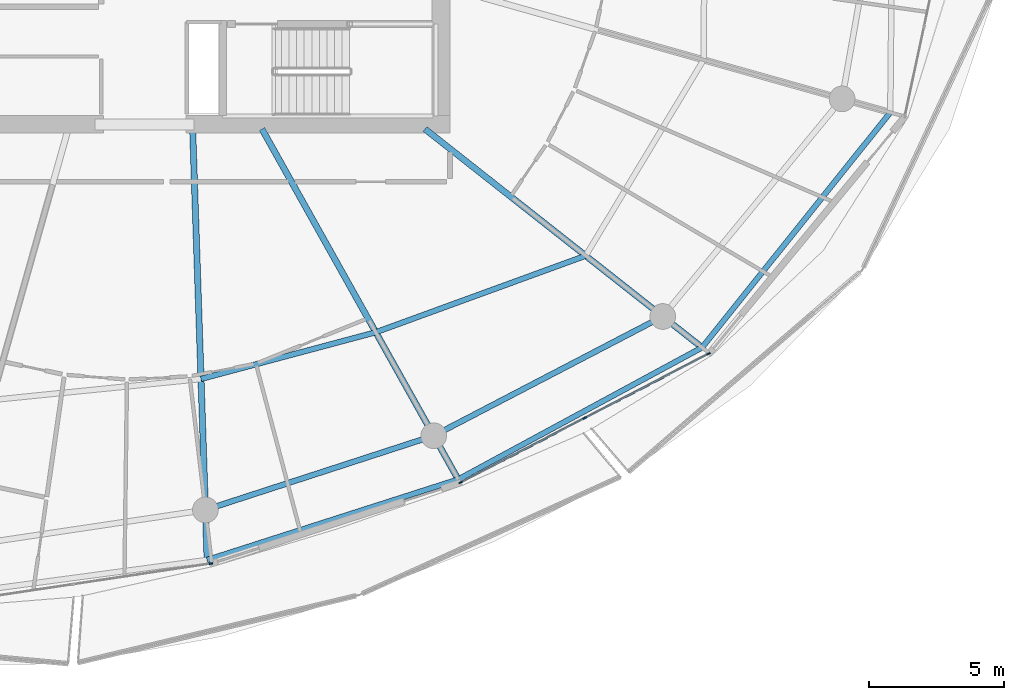
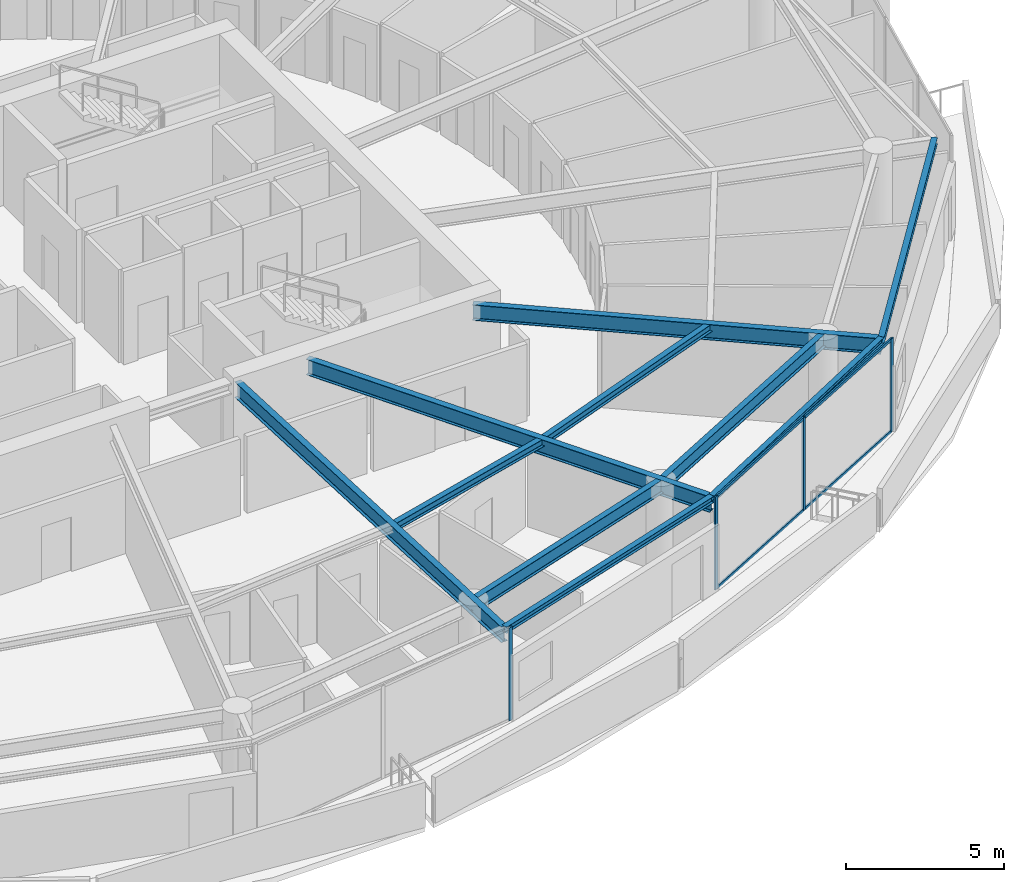
# One storey, part 9 of 30: 10 beams, 8 members, 2 elements without a shape of their own.
"""IFC4 building model written with IfcOpenShell, lengths in metres."""

import ifcopenshell
import ifcopenshell.guid

model = None  # the IFC model being written
_history = None  # IfcOwnerHistory: only IFC2X3 demands one
_inside = {}  # id of a spatial element -> (the spatial element, [elements in it])
_under = {}  # id of a project, library or spatial element -> (it, [spatial elements below it])
_declared = {}  # id of a project -> (the project, [libraries it declares])
_typed = {}  # id of a type object -> (the type object, [elements of that type])
_made_of = {}  # id of a material, layer set ... -> (it, [elements and type objects made of it])


def new_model(schema):
    """Start an empty IFC model of exactly this schema.

    Asked for "IFC4X3", IfcOpenShell would pick the latest addendum, in which some entities
    have other attributes; the version numbers below select the first issue.
    IFC2X3 requires an IfcOwnerHistory on every rooted entity: one is made here for all.
    """
    global model, _history
    if schema == "IFC4X3":
        model = ifcopenshell.file(schema_version=(4, 3, 0, 0))
    else:
        model = ifcopenshell.file(schema=schema)
    _inside.clear()
    _under.clear()
    _declared.clear()
    _typed.clear()
    _made_of.clear()
    _history = None
    if model.schema == "IFC2X3":
        org = make("IfcOrganization", Name="unknown")
        user = make(
            "IfcPersonAndOrganization",
            ThePerson=make("IfcPerson", FamilyName="unknown"),
            TheOrganization=org,
        )
        app = make(
            "IfcApplication",
            ApplicationDeveloper=org,
            Version="unknown",
            ApplicationFullName="unknown",
            ApplicationIdentifier="unknown",
        )
        _history = make(
            "IfcOwnerHistory",
            OwningUser=user,
            OwningApplication=app,
            ChangeAction="ADDED",
            CreationDate=0,
        )
    return model


def make(cls, **values):
    """One entity of the class cls with the attributes given. An attribute that is None is left unset."""
    return model.create_entity(
        cls, **{name: value for name, value in values.items() if value is not None}
    )


def rooted(cls, **values):
    """An entity with a GlobalId (a new one), such as an element, a storey or a relation."""
    return make(cls, GlobalId=ifcopenshell.guid.new(), OwnerHistory=_history, **values)


def si_unit(unit_type, name, prefix=None):
    """IfcSIUnit, for example si_unit("LENGTHUNIT", "METRE", prefix="MILLI")."""
    return make("IfcSIUnit", UnitType=unit_type, Prefix=prefix, Name=name)


def assignment(units):
    """IfcUnitAssignment: the units of a project."""
    return None if units is None else make("IfcUnitAssignment", Units=units)


def point(xyz):
    """IfcCartesianPoint."""
    return None if xyz is None else make("IfcCartesianPoint", Coordinates=xyz)


def direction(xyz):
    """IfcDirection."""
    return None if xyz is None else make("IfcDirection", DirectionRatios=xyz)


def frame(location, z_axis=None, x_axis=None):
    """IfcAxis2Placement3D, a coordinate frame: its origin and axes. An axis left out is left unset."""
    return make(
        "IfcAxis2Placement3D",
        Location=point(location),
        Axis=direction(z_axis),
        RefDirection=direction(x_axis),
    )


def frame_2d(location, x_axis=None):
    """IfcAxis2Placement2D, a coordinate frame in the plane: its origin and x axis."""
    return make(
        "IfcAxis2Placement2D", Location=point(location), RefDirection=direction(x_axis)
    )


def origin():
    """The frame at (0, 0, 0) with its axes left unset."""
    return frame((0.0, 0.0, 0.0))


def origin_2d():
    """The frame at (0, 0) in the plane with its x axis left unset."""
    return frame_2d((0.0, 0.0))


def place(relative_to, where):
    """IfcLocalPlacement: puts the frame where relative to a parent placement (None: the world)."""
    return make(
        "IfcLocalPlacement", PlacementRelTo=relative_to, RelativePlacement=where
    )


def context(
    kind, dimensions, precision=None, world=None, true_north=None, identifier=None
):
    """IfcGeometricRepresentationContext, for example the 3D "Model" context."""
    return make(
        "IfcGeometricRepresentationContext",
        ContextIdentifier=identifier,
        ContextType=kind,
        CoordinateSpaceDimension=dimensions,
        Precision=precision,
        WorldCoordinateSystem=world,
        TrueNorth=true_north,
    )


def subcontext(parent, identifier, kind, view, scale=None):
    """IfcGeometricRepresentationSubContext, for example "Body" below "Model"."""
    return make(
        "IfcGeometricRepresentationSubContext",
        ContextIdentifier=identifier,
        ContextType=kind,
        ParentContext=parent,
        TargetScale=scale,
        TargetView=view,
    )


def project(units=None, contexts=None):
    """IfcProject with its units and contexts."""
    return rooted(
        "IfcProject",
        Name="project",
        RepresentationContexts=contexts,
        UnitsInContext=assignment(units),
    )


def spatial(cls, under=None, at=None, **own):
    """A site, building, storey or space (cls), placed at a placement, below another one or the project."""
    s = rooted(cls, ObjectPlacement=at, **own)
    if under is not None:
        _under.setdefault(under.id(), (under, []))[1].append(s)
    return s


def profile(cls, at=None, kind="AREA", **sizes):
    """A parametric profile (cls). Its sizes go by their IFC names, for example OverallWidth=200.0."""
    return make(cls, ProfileType=kind, Position=at, **sizes)


def rectangle(**sizes):
    """IfcRectangleProfileDef."""
    return profile("IfcRectangleProfileDef", **sizes)


def i_section(**sizes):
    """IfcIShapeProfileDef."""
    return profile("IfcIShapeProfileDef", **sizes)


def extrude(swept, where, along, depth):
    """IfcExtrudedAreaSolid: the profile swept, set in the frame where, extruded along a direction by depth."""
    return make(
        "IfcExtrudedAreaSolid",
        SweptArea=swept,
        Position=where,
        ExtrudedDirection=direction(along),
        Depth=depth,
    )


def shape(context_of_items, identifier, shape_type, items):
    """IfcShapeRepresentation: the items that make up one representation, for example the "Body"."""
    return make(
        "IfcShapeRepresentation",
        ContextOfItems=context_of_items,
        RepresentationIdentifier=identifier,
        RepresentationType=shape_type,
        Items=items,
    )


def material(Name=None, Category=None):
    """IfcMaterial."""
    return make("IfcMaterial", Name=Name, Category=Category)


def layer(
    of_material, thickness, ventilated=None, Name=None, Category=None, Priority=None
):
    """IfcMaterialLayer: one layer of a wall or slab, of a material (None: an air gap)."""
    return make(
        "IfcMaterialLayer",
        Material=of_material,
        LayerThickness=thickness,
        IsVentilated=ventilated,
        Name=Name,
        Category=Category,
        Priority=Priority,
    )


def layer_set(layers, Name=None):
    """IfcMaterialLayerSet."""
    return make("IfcMaterialLayerSet", MaterialLayers=layers, LayerSetName=Name)


def material_profile(
    of_material, cross_section, Name=None, Category=None, Priority=None
):
    """IfcMaterialProfile: a cross section and its material."""
    return make(
        "IfcMaterialProfile",
        Name=Name,
        Material=of_material,
        Profile=cross_section,
        Priority=Priority,
        Category=Category,
    )


def profile_set(profiles, Name=None, composite=None):
    """IfcMaterialProfileSet."""
    return make(
        "IfcMaterialProfileSet",
        Name=Name,
        MaterialProfiles=profiles,
        CompositeProfile=composite,
    )


def made_of(thing, what):
    """Note that an element or type object is made of a material, layer set ...; save() writes the relation."""
    if what is not None:
        _made_of.setdefault(what.id(), (what, []))[1].append(thing)
    return thing


def type_object(cls, material=None, **own):
    """A type object (cls), such as IfcWallType, which elements share."""
    return made_of(rooted(cls, **own), material)


def element(
    cls,
    number,
    at=None,
    inside=None,
    cuts=None,
    type_object=None,
    material=None,
    context=None,
    identifier="Body",
    shape_type=None,
    held_by="IfcProductDefinitionShape",
    body=None,
    shapes=None,
    **own,
):
    """One element of the class cls, such as IfcWall. Its Tag is "e" and its number.

    at: its placement. inside: the storey or other place that contains it. cuts: it is an
    opening in that element (IfcRelVoidsElement). A single representation is given by context,
    identifier, shape_type and body (its items); several are given by shapes. held_by: the class
    of the entity that holds the representations. save() writes the other relations.
    """
    e = rooted(cls, Tag="e%d" % number, ObjectPlacement=at, **own)
    if body is not None:
        shapes = [shape(context, identifier, shape_type, body)]
    if shapes is not None:
        e.Representation = make(held_by, Representations=shapes)
    if inside is not None:
        _inside.setdefault(inside.id(), (inside, []))[1].append(e)
    if cuts is not None:
        rooted(
            "IfcRelVoidsElement", RelatingBuildingElement=cuts, RelatedOpeningElement=e
        )
    if type_object is not None:
        _typed.setdefault(type_object.id(), (type_object, []))[1].append(e)
    return made_of(e, material)


def aggregate(whole, parts):
    """IfcRelAggregates: a whole, such as a stair, and the parts it consists of."""
    return rooted("IfcRelAggregates", RelatingObject=whole, RelatedObjects=parts)


def save(model, path):
    """Write the relations noted so far, then the file.

    IfcRelAggregates (storeys below a building ...), IfcRelContainedInSpatialStructure (elements
    in a storey), IfcRelDefinesByType, IfcRelAssociatesMaterial and IfcRelDeclares: one each for
    every whole, place, type object, material and project.
    """
    for whole, parts in _under.values():
        aggregate(whole, parts)
    for where, things in _inside.values():
        rooted(
            "IfcRelContainedInSpatialStructure",
            RelatedElements=things,
            RelatingStructure=where,
        )
    for kind, things in _typed.values():
        rooted("IfcRelDefinesByType", RelatedObjects=things, RelatingType=kind)
    for what, things in _made_of.values():
        rooted("IfcRelAssociatesMaterial", RelatedObjects=things, RelatingMaterial=what)
    for by, libraries in _declared.values():
        rooted("IfcRelDeclares", RelatingContext=by, RelatedDefinitions=libraries)
    model.write(path)


model = new_model("IFC4")

# Units and contexts
model_context = context("Model", 3, precision=1e-05, world=origin(), true_north=direction((0.0, 1.0)))
body_context = subcontext(model_context, "Body", "Model", "MODEL_VIEW")
ifc_project = project(units=[si_unit("LENGTHUNIT", "METRE"), si_unit("AREAUNIT", "SQUARE_METRE"), si_unit("VOLUMEUNIT", "CUBIC_METRE"), si_unit("PLANEANGLEUNIT", "RADIAN"), si_unit("MASSUNIT", "GRAM", prefix="KILO")], contexts=[model_context])

# Site, building, storey
site_placement = place(None, origin())
site = spatial("IfcSite", under=ifc_project, at=site_placement, CompositionType="ELEMENT")
building_placement = place(site_placement, origin())
building = spatial("IfcBuilding", under=site, at=building_placement, Name="Kazma Halo Residences", CompositionType="ELEMENT")
storey_placement = place(building_placement, frame((0.0, 0.0, 263.64990234375)))
storey = spatial("IfcBuildingStorey", under=building, at=storey_placement, Name="L66", CompositionType="ELEMENT", Elevation=263.64990234375)

# Beams
ifc_material_1 = material(Name="Steel S355", Category="steel")
ifc_material_profile_1 = material_profile(ifc_material_1, i_section(OverallWidth=0.201904296875, OverallDepth=0.2470703125, WebThickness=0.00732421875, FlangeThickness=0.010986328125, FilletRadius=0.011962890625, at=origin_2d()), Name="W250x49.1")
ifc_profile_set_1 = profile_set([ifc_material_profile_1], Name="Steel S355")
beam_type_1 = type_object("IfcBeamType", Name="BM-BAL-CANT", PredefinedType="BEAM", material=ifc_profile_set_1)
beam_1_placement = place(storey_placement, frame((50.7333984375, 17.580078125, 3.466552734375), z_axis=(0.952215866624, 0.305425839362, 0.0), x_axis=(-0.305425839362, 0.952215866624, 0.0)))
element("IfcBeam", 1, at=beam_1_placement, inside=storey, type_object=beam_type_1, Name="L66 wave-balcony tie beam 12", PredefinedType="BEAM", context=body_context, shape_type="SweptSolid", body=[
    extrude(i_section(OverallWidth=0.201904296875, OverallDepth=0.2470703125, WebThickness=0.00732421875, FlangeThickness=0.010986328125, FilletRadius=0.011962890625, at=origin_2d()), origin(), (0.0, 0.0, 1.0), 9.74169921875),
])
beam_2_placement = place(storey_placement, frame((60.009521484375, 20.555419921875, 3.466552734375), z_axis=(0.879517282036, 0.475866946321, 0.0), x_axis=(-0.475866946321, 0.879517282036, 0.0)))
element("IfcBeam", 2, at=beam_2_placement, inside=storey, type_object=beam_type_1, Name="L66 wave-balcony tie beam 13", PredefinedType="BEAM", context=body_context, shape_type="SweptSolid", body=[
    extrude(i_section(OverallWidth=0.201904296875, OverallDepth=0.2470703125, WebThickness=0.00732421875, FlangeThickness=0.010986328125, FilletRadius=0.011962890625, at=origin_2d()), origin(), (0.0, 0.0, 1.0), 10.243408203125),
])
beam_3_placement = place(storey_placement, frame((69.018798828125, 25.429931640625, 3.466552734375), z_axis=(0.625117912406, 0.780530329705, 0.0), x_axis=(-0.780530329705, 0.625117912406, 0.0)))
element("IfcBeam", 3, at=beam_3_placement, inside=storey, type_object=beam_type_1, Name="L66 wave-balcony tie beam 14", PredefinedType="BEAM", context=body_context, shape_type="SweptSolid", body=[
    extrude(i_section(OverallWidth=0.201904296875, OverallDepth=0.2470703125, WebThickness=0.00732421875, FlangeThickness=0.010986328125, FilletRadius=0.011962890625, at=origin_2d()), origin(), (0.0, 0.0, 1.0), 11.1220703125),
])
ifc_material_profile_2 = material_profile(ifc_material_1, i_section(OverallWidth=0.22802734375, OverallDepth=0.60791015625, WebThickness=0.01123046875, FlangeThickness=0.017333984375, FilletRadius=0.01806640625, at=origin_2d()), Name="W610x113")
ifc_profile_set_2 = profile_set([ifc_material_profile_2], Name="Steel S355")
beam_type_2 = type_object("IfcBeamType", Name="BM-RAD-W610", PredefinedType="BEAM", material=ifc_profile_set_2)
beam_4_placement = place(storey_placement, frame((50.199951171875, 33.5, 3.2861328125), z_axis=(0.03348936291, -0.999439073967, 0.0), x_axis=(0.999439073967, 0.03348936291, 0.0)))
element("IfcBeam", 4, at=beam_4_placement, inside=storey, type_object=beam_type_2, Name="L66 radial floor beam 12", PredefinedType="BEAM", context=body_context, shape_type="SweptSolid", body=[
    extrude(i_section(OverallWidth=0.22802734375, OverallDepth=0.60791015625, WebThickness=0.01123046875, FlangeThickness=0.017333984375, FilletRadius=0.01806640625, at=origin_2d()), origin(), (0.0, 0.0, 1.0), 15.928955078125),
])
beam_5_placement = place(storey_placement, frame((52.76025390625, 33.5, 3.2861328125), z_axis=(0.488618902548, -0.872497316943, 0.0), x_axis=(0.872497316943, 0.488618902548, 0.0)))
element("IfcBeam", 5, at=beam_5_placement, inside=storey, type_object=beam_type_2, Name="L66 radial floor beam 13", PredefinedType="BEAM", context=body_context, shape_type="SweptSolid", body=[
    extrude(i_section(OverallWidth=0.22802734375, OverallDepth=0.60791015625, WebThickness=0.01123046875, FlangeThickness=0.017333984375, FilletRadius=0.01806640625, at=origin_2d()), origin(), (0.0, 0.0, 1.0), 14.836181640625),
])
beam_6_placement = place(storey_placement, frame((58.7822265625, 33.5, 3.2861328125), z_axis=(0.785309266897, -0.619103670903, 0.0), x_axis=(0.619103670903, 0.785309266897, 0.0)))
element("IfcBeam", 6, at=beam_6_placement, inside=storey, type_object=beam_type_2, Name="L66 radial floor beam 14", PredefinedType="BEAM", context=body_context, shape_type="SweptSolid", body=[
    extrude(i_section(OverallWidth=0.22802734375, OverallDepth=0.60791015625, WebThickness=0.01123046875, FlangeThickness=0.017333984375, FilletRadius=0.01806640625, at=origin_2d()), origin(), (0.0, 0.0, 1.0), 13.03515625),
])
ifc_material_profile_3 = material_profile(ifc_material_1, i_section(OverallWidth=0.202880859375, OverallDepth=0.302978515625, WebThickness=0.007568359375, FlangeThickness=0.01318359375, FilletRadius=0.013916015625, at=origin_2d()), Name="W310x60")
ifc_profile_set_3 = profile_set([ifc_material_profile_3], Name="Steel S355")
beam_type_3 = type_object("IfcBeamType", Name="BM-SEC-W310A", PredefinedType="JOIST", material=ifc_profile_set_3)
beam_7_placement = place(storey_placement, frame((50.50927734375, 24.2666015625, 3.4384765625), z_axis=(0.966079519115, 0.258244772932, 0.0), x_axis=(-0.258244772932, 0.966079519115, 0.0)))
element("IfcBeam", 7, at=beam_7_placement, inside=storey, type_object=beam_type_3, Name="L66 circumferential floor joist 12", PredefinedType="JOIST", context=body_context, shape_type="SweptSolid", body=[
    extrude(i_section(OverallWidth=0.202880859375, OverallDepth=0.302978515625, WebThickness=0.007568359375, FlangeThickness=0.01318359375, FilletRadius=0.013916015625, at=origin_2d()), origin(), (0.0, 0.0, 1.0), 6.681884765625),
])
beam_8_placement = place(storey_placement, frame((56.964599609375, 25.9921875, 3.4384765625), z_axis=(0.93951330561, 0.342512406465, 0.0), x_axis=(-0.342512406465, 0.93951330561, 0.0)))
element("IfcBeam", 8, at=beam_8_placement, inside=storey, type_object=beam_type_3, Name="L66 circumferential floor joist 13", PredefinedType="JOIST", context=body_context, shape_type="SweptSolid", body=[
    extrude(i_section(OverallWidth=0.202880859375, OverallDepth=0.302978515625, WebThickness=0.007568359375, FlangeThickness=0.01318359375, FilletRadius=0.013916015625, at=origin_2d()), origin(), (0.0, 0.0, 1.0), 8.254150390625),
])
ifc_material_profile_4 = material_profile(ifc_material_1, i_section(OverallWidth=0.208984375, OverallDepth=0.532958984375, WebThickness=0.01025390625, FlangeThickness=0.015625, FilletRadius=0.01611328125, at=origin_2d()), Name="W530x92")
ifc_profile_set_4 = profile_set([ifc_material_profile_4], Name="Steel S355")
beam_type_4 = type_object("IfcBeamType", Name="BM-SPN-W530", PredefinedType="BEAM", material=ifc_profile_set_4)
beam_9_placement = place(storey_placement, frame((50.67138671875, 19.42919921875, 3.323486328125), z_axis=(0.951053893407, 0.309025066679, 0.0), x_axis=(-0.309025066679, 0.951053893407, 0.0)))
element("IfcBeam", 9, at=beam_9_placement, inside=storey, type_object=beam_type_4, Name="L66 perimeter ring beam 12", PredefinedType="BEAM", context=body_context, shape_type="SweptSolid", body=[
    extrude(i_section(OverallWidth=0.208984375, OverallDepth=0.532958984375, WebThickness=0.01025390625, FlangeThickness=0.015625, FilletRadius=0.01611328125, at=origin_2d()), origin(), (0.0, 0.0, 1.0), 8.8681640625),
])
beam_10_placement = place(storey_placement, frame((59.10546875, 22.169677734375, 3.323486328125), z_axis=(0.886961047115, 0.461844238788, 0.0), x_axis=(-0.461844238788, 0.886961047115, 0.0)))
element("IfcBeam", 10, at=beam_10_placement, inside=storey, type_object=beam_type_4, Name="L66 perimeter ring beam 13", PredefinedType="BEAM", context=body_context, shape_type="SweptSolid", body=[
    extrude(i_section(OverallWidth=0.208984375, OverallDepth=0.532958984375, WebThickness=0.01025390625, FlangeThickness=0.015625, FilletRadius=0.01611328125, at=origin_2d()), origin(), (0.0, 0.0, 1.0), 9.5390625),
])

# Curtain wall, member
ifc_material_2 = material(Name="Aluminium AW-6063 T6 and Triple-Silver Low-E Glass", Category="aluminium")
ifc_layer = layer(ifc_material_2, 0.139892578125)
ifc_layer_set = layer_set([ifc_layer], Name="Aluminium AW-6063 T6 and Triple-Silver Low-E Glass")
curtain_wall_type = type_object("IfcCurtainWallType", Name="CW-SYS-5", PredefinedType="NOTDEFINED", material=ifc_layer_set)
curtain_wall_1_placement = place(storey_placement, origin())
curtain_wall_1 = element("IfcCurtainWall", 11, at=curtain_wall_1_placement, inside=storey, type_object=curtain_wall_type, Name="L66 unitised curtain wall B11", PredefinedType="NOTDEFINED")
ifc_material_3 = material(Name="Aluminium AW-6063 T6", Category="aluminium")
ifc_material_profile_5 = material_profile(ifc_material_3, rectangle(XDim=0.06005859375, YDim=0.139892578125, at=origin_2d()), Name="CWM-60x140")
ifc_profile_set_5 = profile_set([ifc_material_profile_5], Name="Aluminium AW-6063 T6")
member_type_1 = type_object("IfcMemberType", Name="CW-SYS-5-MUL", PredefinedType="MULLION", material=ifc_profile_set_5)
member_1_placement = place(storey_placement, frame((50.875732421875, 17.447265625, 0.0), z_axis=(0.0, 0.0, 1.0), x_axis=(-0.148697080374, 0.988882792998, 0.0)))
member_1 = element("IfcMember", 12, at=member_1_placement, type_object=member_type_1, Name="CWS-5 mullion 3", PredefinedType="MULLION", context=body_context, shape_type="SweptSolid", body=[
    extrude(rectangle(XDim=0.06005859375, YDim=0.139892578125, at=origin_2d()), origin(), (0.0, 0.0, 1.0), 3.590087890625),
])
aggregate(curtain_wall_1, [member_1])

# Curtain wall, members
curtain_wall_2_placement = place(storey_placement, origin())
curtain_wall_2 = element("IfcCurtainWall", 13, at=curtain_wall_2_placement, inside=storey, type_object=curtain_wall_type, Name="L66 unitised curtain wall B13", PredefinedType="NOTDEFINED")
member_2_placement = place(storey_placement, frame((60.105224609375, 20.446044921875, 0.0), z_axis=(0.0, 0.0, 1.0), x_axis=(-0.460960760804, 0.887420518694, 0.0)))
member_2 = element("IfcMember", 14, at=member_2_placement, type_object=member_type_1, Name="CWS-5 mullion 1", PredefinedType="MULLION", context=body_context, shape_type="SweptSolid", body=[
    extrude(rectangle(XDim=0.06005859375, YDim=0.139892578125, at=origin_2d()), origin(), (0.0, 0.0, 1.0), 3.590087890625),
])
member_3_placement = place(storey_placement, frame((64.68408203125, 22.824462890625, 0.0), z_axis=(0.0, 0.0, 1.0), x_axis=(-0.460960760804, 0.887420518694, 0.0)))
member_3 = element("IfcMember", 15, at=member_3_placement, type_object=member_type_1, Name="CWS-5 mullion 2", PredefinedType="MULLION", context=body_context, shape_type="SweptSolid", body=[
    extrude(rectangle(XDim=0.06005859375, YDim=0.139892578125, at=origin_2d()), origin(), (0.0, 0.0, 1.0), 3.590087890625),
])
member_4_placement = place(storey_placement, frame((69.262939453125, 25.202880859375, 0.0), z_axis=(0.0, 0.0, 1.0), x_axis=(-0.460960760804, 0.887420518694, 0.0)))
member_4 = element("IfcMember", 16, at=member_4_placement, type_object=member_type_1, Name="CWS-5 mullion 3", PredefinedType="MULLION", context=body_context, shape_type="SweptSolid", body=[
    extrude(rectangle(XDim=0.06005859375, YDim=0.139892578125, at=origin_2d()), origin(), (0.0, 0.0, 1.0), 3.590087890625),
])
ifc_material_profile_6 = material_profile(ifc_material_3, rectangle(XDim=0.06005859375, YDim=0.10498046875, at=origin_2d()), Name="CWT-60x105")
ifc_profile_set_6 = profile_set([ifc_material_profile_6], Name="Aluminium AW-6063 T6")
member_type_2 = type_object("IfcMemberType", Name="CW-SYS-5-TRN", PredefinedType="USERDEFINED", material=ifc_profile_set_6)
member_5_placement = place(storey_placement, frame((60.1318359375, 20.4599609375, 0.030029296875), z_axis=(0.887436955863, 0.46092911534, 0.0), x_axis=(-0.46092911534, 0.887436955863, 0.0)))
member_5 = element("IfcMember", 17, at=member_5_placement, type_object=member_type_2, Name="CWS-5 transom 1.1", ObjectType="TRANSOM", PredefinedType="USERDEFINED", context=body_context, shape_type="SweptSolid", body=[
    extrude(rectangle(XDim=0.06005859375, YDim=0.10498046875, at=origin_2d()), origin(), (0.0, 0.0, 1.0), 5.099609375),
])
member_6_placement = place(storey_placement, frame((60.1318359375, 20.4599609375, 3.56005859375), z_axis=(0.887436955863, 0.46092911534, 0.0), x_axis=(-0.46092911534, 0.887436955863, 0.0)))
member_6 = element("IfcMember", 18, at=member_6_placement, type_object=member_type_2, Name="CWS-5 transom 1.2", ObjectType="TRANSOM", PredefinedType="USERDEFINED", context=body_context, shape_type="SweptSolid", body=[
    extrude(rectangle(XDim=0.06005859375, YDim=0.10498046875, at=origin_2d()), origin(), (0.0, 0.0, 1.0), 5.099609375),
])
member_7_placement = place(storey_placement, frame((64.710693359375, 22.83837890625, 0.030029296875), z_axis=(0.887436955863, 0.46092911534, 0.0), x_axis=(-0.46092911534, 0.887436955863, 0.0)))
member_7 = element("IfcMember", 19, at=member_7_placement, type_object=member_type_2, Name="CWS-5 transom 2.1", ObjectType="TRANSOM", PredefinedType="USERDEFINED", context=body_context, shape_type="SweptSolid", body=[
    extrude(rectangle(XDim=0.06005859375, YDim=0.10498046875, at=origin_2d()), origin(), (0.0, 0.0, 1.0), 5.099609375),
])
member_8_placement = place(storey_placement, frame((64.710693359375, 22.83837890625, 3.56005859375), z_axis=(0.887436955863, 0.46092911534, 0.0), x_axis=(-0.46092911534, 0.887436955863, 0.0)))
member_8 = element("IfcMember", 20, at=member_8_placement, type_object=member_type_2, Name="CWS-5 transom 2.2", ObjectType="TRANSOM", PredefinedType="USERDEFINED", context=body_context, shape_type="SweptSolid", body=[
    extrude(rectangle(XDim=0.06005859375, YDim=0.10498046875, at=origin_2d()), origin(), (0.0, 0.0, 1.0), 5.099609375),
])
aggregate(curtain_wall_2, [member_2, member_3, member_4, member_5, member_6, member_7, member_8])

save(model, "model.ifc")
